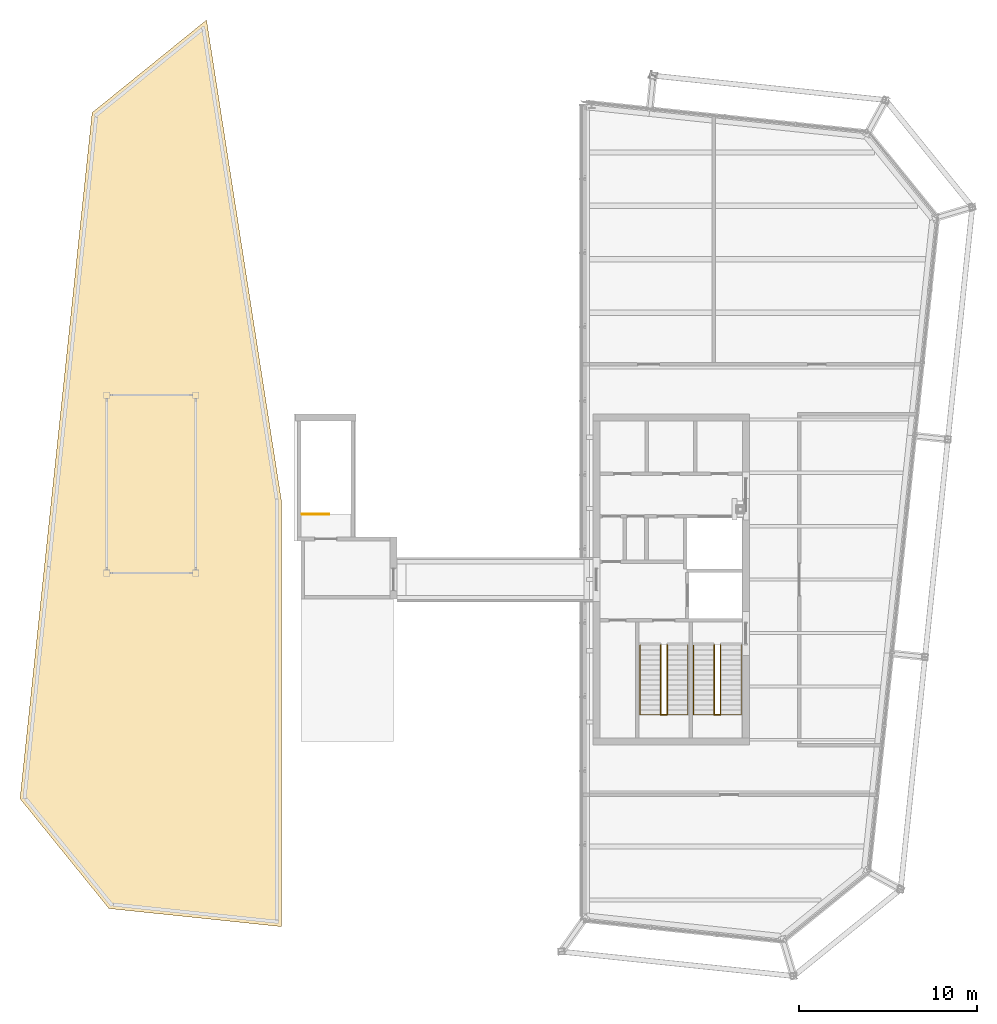
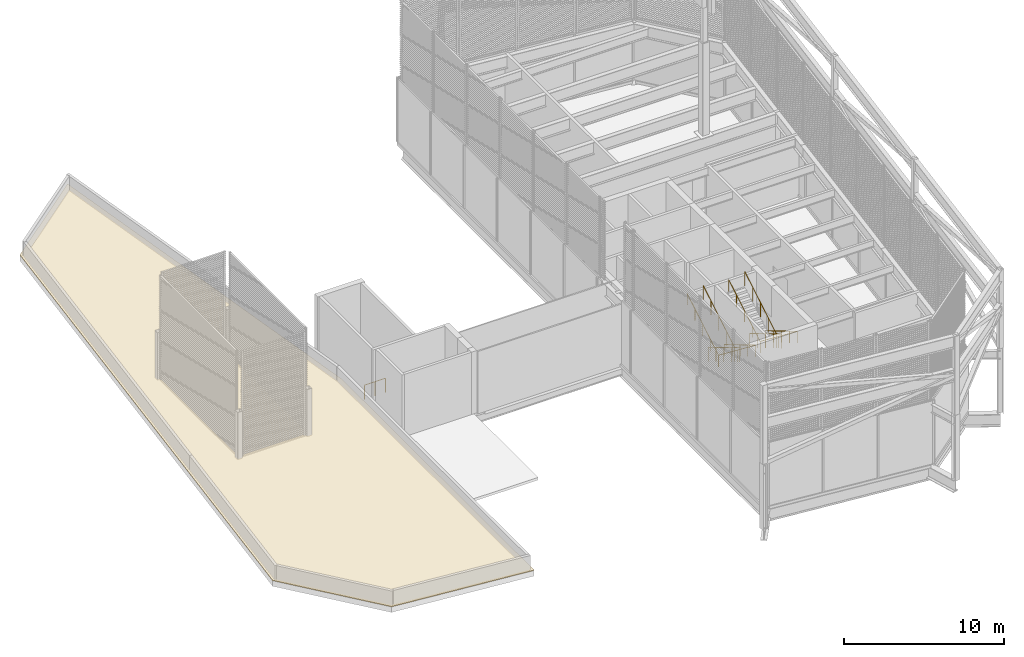
# One storey, part 11 of 11: 5 railings, 1 covering.
"""IFC4 building model written with IfcOpenShell, lengths in metres."""

from ifc_helpers import new_model, si_unit, direction, frame, origin, origin_2d, place, context, subcontext, project, spatial, polyline, circle, outline, extrude, material, layer, layer_set, type_object, element, save


model = new_model("IFC4")

# Units and contexts
model_context = context("Model", 3, precision=1e-05, world=origin(), true_north=direction((0.0, 1.0)))
body_context = subcontext(model_context, "Body", "Model", "MODEL_VIEW")
ifc_project = project(units=[si_unit("LENGTHUNIT", "METRE"), si_unit("AREAUNIT", "SQUARE_METRE"), si_unit("VOLUMEUNIT", "CUBIC_METRE"), si_unit("PLANEANGLEUNIT", "RADIAN"), si_unit("MASSUNIT", "GRAM", prefix="KILO")], contexts=[model_context])

# Site, building, storey
site_placement = place(None, origin())
site = spatial("IfcSite", under=ifc_project, at=site_placement, CompositionType="ELEMENT")
building_placement = place(site_placement, origin())
building = spatial("IfcBuilding", under=site, at=building_placement, Name="Millrace Tower", CompositionType="ELEMENT")
storey_placement = place(building_placement, frame((0.0, 0.0, 357.10009765625)))
storey = spatial("IfcBuildingStorey", under=building, at=storey_placement, Name="L82", CompositionType="ELEMENT", Elevation=357.10009765625)

# Covering
ifc_material_1 = material(Name="Bituminous roofing membrane on rigid insulation")
ifc_layer = layer(ifc_material_1, 0.0400390625)
ifc_layer_set = layer_set([ifc_layer], Name="Bituminous roofing membrane on rigid insulation")
covering_type = type_object("IfcCoveringType", Name="Roofing membrane and insulation 40 mm", PredefinedType="ROOFING", material=ifc_layer_set)
covering_placement = place(storey_placement, frame((0.0, 0.0, 1.419921875)))
element("IfcCovering", 1, at=covering_placement, inside=storey, type_object=covering_type, Name="Roofing membrane and insulation, crown cap W", PredefinedType="ROOFING", context=body_context, shape_type="SweptSolid", body=[
    extrude(outline(polyline([(-12.0, -19.50537109375), (-12.0, 4.44921875), (-16.20556640625, 31.447265625), (-22.636962890625, 26.239013671875), (-25.305908203125, 0.846923828125), (-26.68896484375, -12.3125), (-21.68896484375, -18.487060546875), (-12.0, -19.50537109375)])), origin(), (0.0, 0.0, 1.0), 0.0400390625),
])

# Railings
ifc_material_2 = material(Name="Stainless steel ASTM A240 type 316", Category="steel")
railing_type_1 = type_object("IfcRailingType", Name="Stair guard 1100", PredefinedType="GUARDRAIL", material=ifc_material_2)
railing_1_placement = place(storey_placement, frame((-10.840087890625, 3.679931640625, 0.0)))
element("IfcRailing", 2, at=railing_1_placement, inside=storey, type_object=railing_type_1, Name="Stair guard 2 W L82", PredefinedType="GUARDRAIL", context=body_context, shape_type="SweptSolid", body=[
    extrude(circle(Radius=0.02392578125, at=origin_2d()), frame((0.0, 0.0, 1.076171875), z_axis=(1.0, 0.0, 0.0), x_axis=(0.0, 1.0, 0.0)), (0.0, 0.0, 1.0), 1.52001953125),
    extrude(circle(Radius=0.02099609375, at=origin_2d()), origin(), (0.0, 0.0, 1.0), 1.052001953125),
    extrude(circle(Radius=0.02099609375, at=origin_2d()), frame((0.760009765625, 0.0, 0.0)), (0.0, 0.0, 1.0), 1.052001953125),
    extrude(circle(Radius=0.02099609375, at=origin_2d()), frame((1.52001953125, 0.0, 0.0)), (0.0, 0.0, 1.0), 1.052001953125),
])
railing_2_placement = place(storey_placement, frame((12.679931640625, -3.679931640625, 0.16650390625)))
element("IfcRailing", 3, at=railing_2_placement, inside=storey, type_object=railing_type_1, Name="Stair guard 1 E L82", PredefinedType="GUARDRAIL", context=body_context, shape_type="SweptSolid", body=[
    extrude(circle(Radius=0.02392578125, at=origin_2d()), frame((0.0, 0.0, 1.076171875), z_axis=(0.0, -0.859286724212, 0.511494208758), x_axis=(1.0, 0.0, 0.0)), (0.0, 0.0, 1.0), 4.56201171875),
    extrude(circle(Radius=0.02392578125, at=origin_2d()), frame((0.0, -3.920166015625, 3.40966796875), z_axis=(-0.907562518381, 0.0, 0.419916986117), x_axis=(0.0, -1.0, 0.0)), (0.0, 0.0, 1.0), 0.396484375),
    extrude(circle(Radius=0.02392578125, at=origin_2d()), frame((-0.35986328125, -3.920166015625, 3.576171875), z_axis=(0.0, 0.859286724212, 0.511494208758), x_axis=(-1.0, 0.0, 0.0)), (0.0, 0.0, 1.0), 4.56201171875),
    extrude(circle(Radius=0.02099609375, at=origin_2d()), origin(), (0.0, 0.0, 1.0), 1.052001953125),
    extrude(circle(Radius=0.02099609375, at=origin_2d()), frame((0.0, -0.97998046875, 0.58349609375)), (0.0, 0.0, 1.0), 1.052001953125),
    extrude(circle(Radius=0.02099609375, at=origin_2d()), frame((0.0, -1.9599609375, 1.166748046875)), (0.0, 0.0, 1.0), 1.052001953125),
    extrude(circle(Radius=0.02099609375, at=origin_2d()), frame((0.0, -2.940185546875, 1.75)), (0.0, 0.0, 1.0), 1.052001953125),
    extrude(circle(Radius=0.02099609375, at=origin_2d()), frame((0.0, -3.920166015625, 2.33349609375)), (0.0, 0.0, 1.0), 1.052001953125),
    extrude(circle(Radius=0.02099609375, at=origin_2d()), frame((-0.35986328125, -3.920166015625, 2.5)), (0.0, 0.0, 1.0), 1.052001953125),
    extrude(circle(Radius=0.02099609375, at=origin_2d()), frame((-0.35986328125, -2.940185546875, 3.08349609375)), (0.0, 0.0, 1.0), 1.052001953125),
    extrude(circle(Radius=0.02099609375, at=origin_2d()), frame((-0.35986328125, -1.9599609375, 3.666748046875)), (0.0, 0.0, 1.0), 1.052001953125),
    extrude(circle(Radius=0.02099609375, at=origin_2d()), frame((-0.35986328125, -0.97998046875, 4.25)), (0.0, 0.0, 1.0), 1.052001953125),
    extrude(circle(Radius=0.02099609375, at=origin_2d()), frame((-0.35986328125, 0.0, 4.83349609375)), (0.0, 0.0, 1.0), 1.052001953125),
])
railing_3_placement = place(storey_placement, frame((9.679931640625, -3.679931640625, 0.16650390625)))
element("IfcRailing", 4, at=railing_3_placement, inside=storey, type_object=railing_type_1, Name="Stair guard 2 E L82", PredefinedType="GUARDRAIL", context=body_context, shape_type="SweptSolid", body=[
    extrude(circle(Radius=0.02392578125, at=origin_2d()), frame((0.0, 0.0, 1.076171875), z_axis=(0.0, -0.859286724212, 0.511494208758), x_axis=(1.0, 0.0, 0.0)), (0.0, 0.0, 1.0), 4.56201171875),
    extrude(circle(Radius=0.02392578125, at=origin_2d()), frame((0.0, -3.920166015625, 3.40966796875), z_axis=(-0.907562518381, 0.0, 0.419916986117), x_axis=(0.0, -1.0, 0.0)), (0.0, 0.0, 1.0), 0.396484375),
    extrude(circle(Radius=0.02392578125, at=origin_2d()), frame((-0.35986328125, -3.920166015625, 3.576171875), z_axis=(0.0, 0.859286724212, 0.511494208758), x_axis=(-1.0, 0.0, 0.0)), (0.0, 0.0, 1.0), 4.56201171875),
    extrude(circle(Radius=0.02099609375, at=origin_2d()), origin(), (0.0, 0.0, 1.0), 1.052001953125),
    extrude(circle(Radius=0.02099609375, at=origin_2d()), frame((0.0, -0.97998046875, 0.58349609375)), (0.0, 0.0, 1.0), 1.052001953125),
    extrude(circle(Radius=0.02099609375, at=origin_2d()), frame((0.0, -1.9599609375, 1.166748046875)), (0.0, 0.0, 1.0), 1.052001953125),
    extrude(circle(Radius=0.02099609375, at=origin_2d()), frame((0.0, -2.940185546875, 1.75)), (0.0, 0.0, 1.0), 1.052001953125),
    extrude(circle(Radius=0.02099609375, at=origin_2d()), frame((0.0, -3.920166015625, 2.33349609375)), (0.0, 0.0, 1.0), 1.052001953125),
    extrude(circle(Radius=0.02099609375, at=origin_2d()), frame((-0.35986328125, -3.920166015625, 2.5)), (0.0, 0.0, 1.0), 1.052001953125),
    extrude(circle(Radius=0.02099609375, at=origin_2d()), frame((-0.35986328125, -2.940185546875, 3.08349609375)), (0.0, 0.0, 1.0), 1.052001953125),
    extrude(circle(Radius=0.02099609375, at=origin_2d()), frame((-0.35986328125, -1.9599609375, 3.666748046875)), (0.0, 0.0, 1.0), 1.052001953125),
    extrude(circle(Radius=0.02099609375, at=origin_2d()), frame((-0.35986328125, -0.97998046875, 4.25)), (0.0, 0.0, 1.0), 1.052001953125),
    extrude(circle(Radius=0.02099609375, at=origin_2d()), frame((-0.35986328125, 0.0, 4.83349609375)), (0.0, 0.0, 1.0), 1.052001953125),
])
ifc_material_3 = material(Name="Stainless steel ASTM A240 type 316", Category="steel")
railing_type_2 = type_object("IfcRailingType", Name="Stair handrail 900", PredefinedType="HANDRAIL", material=ifc_material_3)
railing_4_placement = place(storey_placement, frame((13.840087890625, -3.679931640625, 0.16650390625)))
element("IfcRailing", 5, at=railing_4_placement, inside=storey, type_object=railing_type_2, Name="Stair handrail 1 E L82", PredefinedType="HANDRAIL", context=body_context, shape_type="SweptSolid", body=[
    extrude(circle(Radius=0.02392578125, at=origin_2d()), frame((0.0, 0.0, 0.8759765625), z_axis=(0.0, -0.859286724212, 0.511494208758), x_axis=(1.0, 0.0, 0.0)), (0.0, 0.0, 1.0), 4.56201171875),
    extrude(circle(Radius=0.02392578125, at=origin_2d()), frame((0.0, -3.920166015625, 3.20947265625), z_axis=(-0.998075856648, 0.0, 0.062004712537), x_axis=(0.0, -1.0, 0.0)), (0.0, 0.0, 1.0), 2.685302734375),
    extrude(circle(Radius=0.02392578125, at=origin_2d()), frame((-2.68017578125, -3.920166015625, 3.3759765625), z_axis=(0.0, 0.859286724212, 0.511494208758), x_axis=(-1.0, 0.0, 0.0)), (0.0, 0.0, 1.0), 4.56201171875),
    extrude(circle(Radius=0.02099609375, at=origin_2d()), origin(), (0.0, 0.0, 1.0), 0.851806640625),
    extrude(circle(Radius=0.02099609375, at=origin_2d()), frame((0.0, -0.97998046875, 0.58349609375)), (0.0, 0.0, 1.0), 0.851806640625),
    extrude(circle(Radius=0.02099609375, at=origin_2d()), frame((0.0, -1.9599609375, 1.166748046875)), (0.0, 0.0, 1.0), 0.851806640625),
    extrude(circle(Radius=0.02099609375, at=origin_2d()), frame((0.0, -2.940185546875, 1.75)), (0.0, 0.0, 1.0), 0.851806640625),
    extrude(circle(Radius=0.02099609375, at=origin_2d()), frame((0.0, -3.920166015625, 2.33349609375)), (0.0, 0.0, 1.0), 0.851806640625),
    extrude(circle(Radius=0.02099609375, at=origin_2d()), frame((-1.340087890625, -3.920166015625, 2.416748046875)), (0.0, 0.0, 1.0), 0.851806640625),
    extrude(circle(Radius=0.02099609375, at=origin_2d()), frame((-2.68017578125, -3.920166015625, 2.5)), (0.0, 0.0, 1.0), 0.851806640625),
    extrude(circle(Radius=0.02099609375, at=origin_2d()), frame((-2.68017578125, -2.940185546875, 3.08349609375)), (0.0, 0.0, 1.0), 0.851806640625),
    extrude(circle(Radius=0.02099609375, at=origin_2d()), frame((-2.68017578125, -1.9599609375, 3.666748046875)), (0.0, 0.0, 1.0), 0.851806640625),
    extrude(circle(Radius=0.02099609375, at=origin_2d()), frame((-2.68017578125, -0.97998046875, 4.25)), (0.0, 0.0, 1.0), 0.851806640625),
    extrude(circle(Radius=0.02099609375, at=origin_2d()), frame((-2.68017578125, 0.0, 4.83349609375)), (0.0, 0.0, 1.0), 0.851806640625),
])
railing_5_placement = place(storey_placement, frame((10.840087890625, -3.679931640625, 0.16650390625)))
element("IfcRailing", 6, at=railing_5_placement, inside=storey, type_object=railing_type_2, Name="Stair handrail 2 E L82", PredefinedType="HANDRAIL", context=body_context, shape_type="SweptSolid", body=[
    extrude(circle(Radius=0.02392578125, at=origin_2d()), frame((0.0, 0.0, 0.8759765625), z_axis=(0.0, -0.859286724212, 0.511494208758), x_axis=(1.0, 0.0, 0.0)), (0.0, 0.0, 1.0), 4.56201171875),
    extrude(circle(Radius=0.02392578125, at=origin_2d()), frame((0.0, -3.920166015625, 3.20947265625), z_axis=(-0.998075856648, 0.0, 0.062004712537), x_axis=(0.0, -1.0, 0.0)), (0.0, 0.0, 1.0), 2.685302734375),
    extrude(circle(Radius=0.02392578125, at=origin_2d()), frame((-2.68017578125, -3.920166015625, 3.3759765625), z_axis=(0.0, 0.859286724212, 0.511494208758), x_axis=(-1.0, 0.0, 0.0)), (0.0, 0.0, 1.0), 4.56201171875),
    extrude(circle(Radius=0.02099609375, at=origin_2d()), origin(), (0.0, 0.0, 1.0), 0.851806640625),
    extrude(circle(Radius=0.02099609375, at=origin_2d()), frame((0.0, -0.97998046875, 0.58349609375)), (0.0, 0.0, 1.0), 0.851806640625),
    extrude(circle(Radius=0.02099609375, at=origin_2d()), frame((0.0, -1.9599609375, 1.166748046875)), (0.0, 0.0, 1.0), 0.851806640625),
    extrude(circle(Radius=0.02099609375, at=origin_2d()), frame((0.0, -2.940185546875, 1.75)), (0.0, 0.0, 1.0), 0.851806640625),
    extrude(circle(Radius=0.02099609375, at=origin_2d()), frame((0.0, -3.920166015625, 2.33349609375)), (0.0, 0.0, 1.0), 0.851806640625),
    extrude(circle(Radius=0.02099609375, at=origin_2d()), frame((-1.340087890625, -3.920166015625, 2.416748046875)), (0.0, 0.0, 1.0), 0.851806640625),
    extrude(circle(Radius=0.02099609375, at=origin_2d()), frame((-2.68017578125, -3.920166015625, 2.5)), (0.0, 0.0, 1.0), 0.851806640625),
    extrude(circle(Radius=0.02099609375, at=origin_2d()), frame((-2.68017578125, -2.940185546875, 3.08349609375)), (0.0, 0.0, 1.0), 0.851806640625),
    extrude(circle(Radius=0.02099609375, at=origin_2d()), frame((-2.68017578125, -1.9599609375, 3.666748046875)), (0.0, 0.0, 1.0), 0.851806640625),
    extrude(circle(Radius=0.02099609375, at=origin_2d()), frame((-2.68017578125, -0.97998046875, 4.25)), (0.0, 0.0, 1.0), 0.851806640625),
    extrude(circle(Radius=0.02099609375, at=origin_2d()), frame((-2.68017578125, 0.0, 4.83349609375)), (0.0, 0.0, 1.0), 0.851806640625),
])

save(model, "model.ifc")
